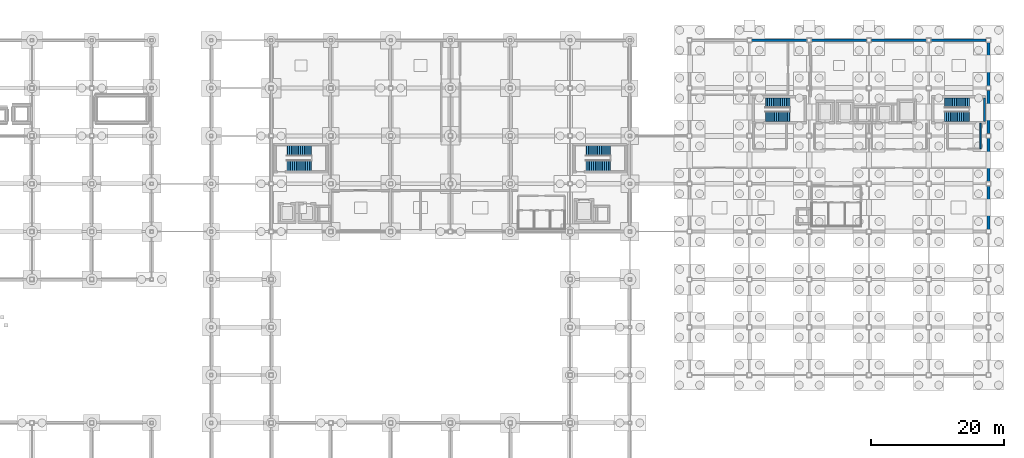
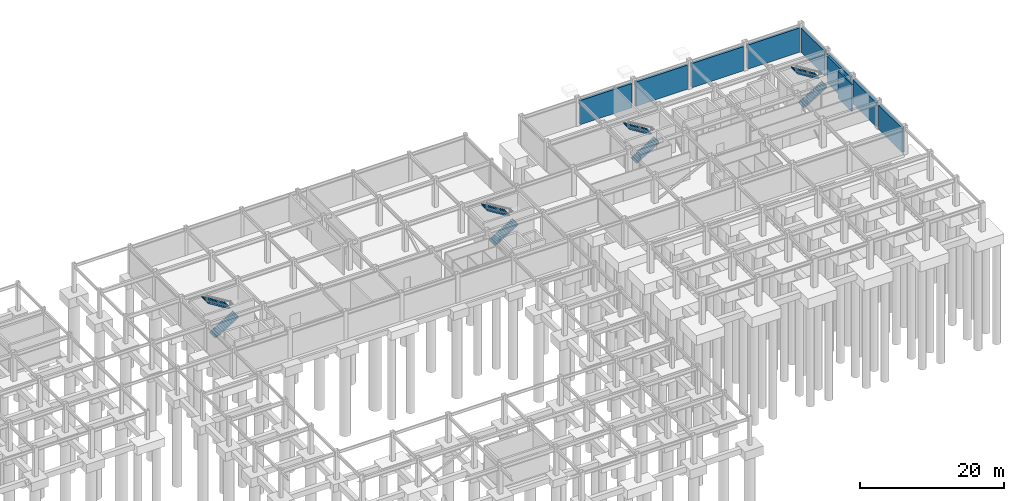
# One storey, part 25 of 28: 10 walls, 8 stair flights, 4 elements without a shape of their own.
"""IFC4 building model written with IfcOpenShell, lengths in metres."""

from ifc_helpers import new_model, si_unit, direction, frame, frame_2d, origin, place, context, subcontext, project, spatial, polyline, rectangle, outline, extrude, material, layer, layer_set, type_object, element, aggregate, save


model = new_model("IFC4")

# Units and contexts
model_context = context("Model", 3, precision=1e-05, world=origin(), true_north=direction((0.0, 1.0)))
body_context = subcontext(model_context, "Body", "Model", "MODEL_VIEW")
ifc_project = project(units=[si_unit("LENGTHUNIT", "METRE"), si_unit("AREAUNIT", "SQUARE_METRE"), si_unit("VOLUMEUNIT", "CUBIC_METRE"), si_unit("PLANEANGLEUNIT", "RADIAN"), si_unit("MASSUNIT", "GRAM", prefix="KILO")], contexts=[model_context])

# Site, building, storey
site_placement = place(None, origin())
site = spatial("IfcSite", under=ifc_project, at=site_placement, CompositionType="ELEMENT")
building_placement = place(site_placement, origin())
building = spatial("IfcBuilding", under=site, at=building_placement, Name="Kazanami Central Library", CompositionType="ELEMENT")
storey_placement = place(building_placement, frame((0.0, 0.0, -4.89990234375)))
storey = spatial("IfcBuildingStorey", under=building, at=storey_placement, Name="B01", CompositionType="ELEMENT", Elevation=-4.89990234375)

# Walls
ifc_material_1 = material(Name="Fire-Resistant Gypsum Board GB-F", Category="gypsum")
ifc_layer_1 = layer(ifc_material_1, 0.219970703125, Name="Fire-Resistant Gypsum Board GB-F")
ifc_layer_set_1 = layer_set([ifc_layer_1], Name="Fire-Resistant Gypsum Board GB-F")
wall_type_1 = type_object("IfcWallType", Name="WAL-FW-220", PredefinedType="PARTITIONING", material=ifc_layer_set_1)
wall_1_placement = place(storey_placement, frame((160.800048828125, 77.2900390625, 0.0), z_axis=(0.0, 0.0, 1.0), x_axis=(0.0, 1.0, 0.0)))
element("IfcWall", 1, at=wall_1_placement, inside=storey, type_object=wall_type_1, Name="Interior Partition FW-220 B01 VEST-ST-02 (East)", PredefinedType="PARTITIONING", context=body_context, shape_type="SweptSolid", body=[
    extrude(rectangle(XDim=3.820068359375, YDim=0.219970703125, at=frame_2d((1.91015625, 0.0))), origin(), (0.0, 0.0, 1.0), 4.625),
])
ifc_material_2 = material(Name="Concrete Fc36 (36 MPa)", Category="concrete")
ifc_layer_2 = layer(ifc_material_2, 0.39990234375, Name="Concrete Fc36 (36 MPa)")
ifc_layer_set_2 = layer_set([ifc_layer_2], Name="Concrete Fc36 (36 MPa)")
wall_type_2 = type_object("IfcWallType", Name="WAL-RW-400", PredefinedType="SOLIDWALL", material=ifc_layer_set_2)
for number, where, z_axis, x_axis, name in (
    (2, (134.64990234375, 93.60009765625, 0.0), (0.0, 0.0, 1.0), (-1.0, 0.0, 0.0), "Basement Retaining Wall RW-400 N-O-15"),
    (3, (143.64990234375, 93.60009765625, 0.0), (0.0, 0.0, 1.0), (-1.0, 0.0, 0.0), "Basement Retaining Wall RW-400 N-O-16"),
    (4, (152.64990234375, 93.60009765625, 0.0), (0.0, 0.0, 1.0), (-1.0, 0.0, 0.0), "Basement Retaining Wall RW-400 N-O-17"),
    (5, (161.64990234375, 93.60009765625, 0.0), (0.0, 0.0, 1.0), (-1.0, 0.0, 0.0), "Basement Retaining Wall RW-400 N-O-18"),
):
    element("IfcWall", number, at=place(storey_placement, frame(where, z_axis=z_axis, x_axis=x_axis)), inside=storey, type_object=wall_type_2, Name=name, PredefinedType="SOLIDWALL", context=body_context, shape_type="SweptSolid", body=[
        extrude(rectangle(XDim=8.2998046875, YDim=0.39990234375, at=frame_2d((4.14990234375, 0.0))), origin(), (0.0, 0.0, 1.0), 4.125),
    ])
for number, where, z_axis, x_axis, name in (
    (6, (162.0, 71.64990234375, 0.0), (0.0, 0.0, 1.0), (0.0, -1.0, 0.0), "Basement Retaining Wall RW-400 E-19-10"),
    (7, (162.0, 78.85009765625, 0.0), (0.0, 0.0, 1.0), (0.0, -1.0, 0.0), "Basement Retaining Wall RW-400 E-19-11"),
    (8, (162.0, 86.050048828125, 0.0), (0.0, 0.0, 1.0), (0.0, -1.0, 0.0), "Basement Retaining Wall RW-400 E-19-12"),
    (9, (162.0, 93.25, 0.0), (0.0, 0.0, 1.0), (0.0, -1.0, 0.0), "Basement Retaining Wall RW-400 E-19-13"),
):
    element("IfcWall", number, at=place(storey_placement, frame(where, z_axis=z_axis, x_axis=x_axis)), inside=storey, type_object=wall_type_2, Name=name, PredefinedType="SOLIDWALL", context=body_context, shape_type="SweptSolid", body=[
        extrude(rectangle(XDim=6.5, YDim=0.39990234375, at=frame_2d((3.25, 0.0))), origin(), (0.0, 0.0, 1.0), 4.125),
    ])
ifc_layer_3 = layer(ifc_material_2, 0.35009765625, Name="Concrete Fc36 (36 MPa)")
ifc_layer_set_3 = layer_set([ifc_layer_3], Name="Concrete Fc36 (36 MPa)")
wall_type_3 = type_object("IfcWallType", Name="WAL-SW-350", PredefinedType="SHEAR", material=ifc_layer_set_3)
wall_2_placement = place(storey_placement, frame((161.39990234375, 81.375, 0.0), z_axis=(0.0, 0.0, 1.0), x_axis=(0.0, 1.0, 0.0)))
element("IfcWall", 10, at=wall_2_placement, inside=storey, type_object=wall_type_3, Name="Stair Core Wall ST-02 East B01", PredefinedType="SHEAR", context=body_context, shape_type="SweptSolid", body=[
    extrude(rectangle(XDim=3.550048828125, YDim=0.35009765625, at=frame_2d((1.77490234375, 0.0))), origin(), (0.0, 0.0, 1.0), 4.625),
])

# Stair, stair flights
stair_type_1 = type_object("IfcStairType", Name="STR-P49", PredefinedType="HALF_TURN_STAIR", material=ifc_material_2)
stair_1_placement = place(storey_placement, origin())
stair_1 = element("IfcStair", 11, at=stair_1_placement, inside=storey, type_object=stair_type_1, Name="Enclosed Escape Stair ST-03 (B01)", PredefinedType="HALF_TURN_STAIR")
stair_flight_type_1 = type_object("IfcStairFlightType", Name="FLT-STR-P49", PredefinedType="STRAIGHT", material=ifc_material_2)
stair_flight_1_placement = place(storey_placement, frame((56.39404296875, 74.75, 0.0), z_axis=(0.0, 0.0, 1.0), x_axis=(1.0, 0.0, 0.0)))
stair_flight_1 = element("IfcStairFlight", 12, at=stair_flight_1_placement, type_object=stair_flight_type_1, Name="ST-03 flight 1", NumberOfRisers=14, NumberOfTreads=13, PredefinedType="STRAIGHT", RiserHeight=0.175, TreadLength=0.28, context=body_context, shape_type="SweptSolid", body=[
    extrude(outline(polyline([(0.0, 0.0), (0.0, 0.175048828125), (0.280029296875, 0.175048828125), (0.280029296875, 0.35009765625), (0.56005859375, 0.35009765625), (0.56005859375, 0.52490234375), (0.840087890625, 0.52490234375), (0.840087890625, 0.699951171875), (1.1201171875, 0.699951171875), (1.1201171875, 0.875), (1.39990234375, 0.875), (1.39990234375, 1.050048828125), (1.679931640625, 1.050048828125), (1.679931640625, 1.22509765625), (1.9599609375, 1.22509765625), (1.9599609375, 1.39990234375), (2.239990234375, 1.39990234375), (2.239990234375, 1.574951171875), (2.52001953125, 1.574951171875), (2.52001953125, 1.75), (2.800048828125, 1.75), (2.800048828125, 1.925048828125), (3.080078125, 1.925048828125), (3.080078125, 2.10009765625), (3.360107421875, 2.10009765625), (3.360107421875, 2.27490234375), (3.639892578125, 2.27490234375), (3.639892578125, 2.449951171875), (3.719970703125, 2.449951171875), (3.719970703125, 2.27001953125), (3.639892578125, 2.062744140625), (0.339599609375, 0.0), (0.0, 0.0)])), frame((0.0, 0.800048828125, 0.0), z_axis=(0.0, -1.0, 0.0), x_axis=(1.0, 0.0, 0.0)), (0.0, 0.0, 1.0), 1.60009765625),
])
stair_flight_2_placement = place(storey_placement, frame((60.114013671875, 76.949951171875, 2.449951171875), z_axis=(0.0, 0.0, 1.0), x_axis=(-1.0, 0.0, 0.0)))
stair_flight_2 = element("IfcStairFlight", 13, at=stair_flight_2_placement, type_object=stair_flight_type_1, Name="ST-03 flight 2", NumberOfRisers=14, NumberOfTreads=13, PredefinedType="STRAIGHT", RiserHeight=0.175, TreadLength=0.28, context=body_context, shape_type="SweptSolid", body=[
    extrude(outline(polyline([(0.0, 0.0), (0.0, 0.175048828125), (0.280029296875, 0.175048828125), (0.280029296875, 0.35009765625), (0.56005859375, 0.35009765625), (0.56005859375, 0.52490234375), (0.840087890625, 0.52490234375), (0.840087890625, 0.699951171875), (1.1201171875, 0.699951171875), (1.1201171875, 0.875), (1.39990234375, 0.875), (1.39990234375, 1.050048828125), (1.679931640625, 1.050048828125), (1.679931640625, 1.22509765625), (1.9599609375, 1.22509765625), (1.9599609375, 1.39990234375), (2.239990234375, 1.39990234375), (2.239990234375, 1.574951171875), (2.52001953125, 1.574951171875), (2.52001953125, 1.75), (2.800048828125, 1.75), (2.800048828125, 1.925048828125), (3.080078125, 1.925048828125), (3.080078125, 2.10009765625), (3.360107421875, 2.10009765625), (3.360107421875, 2.27490234375), (3.639892578125, 2.27490234375), (3.639892578125, 2.449951171875), (3.719970703125, 2.449951171875), (3.719970703125, 2.27001953125), (3.639892578125, 2.062744140625), (0.339599609375, 0.0), (0.0, 0.0)])), frame((0.0, 0.800048828125, 0.0), z_axis=(0.0, -1.0, 0.0), x_axis=(1.0, 0.0, 0.0)), (0.0, 0.0, 1.0), 1.60009765625),
])
aggregate(stair_1, [stair_flight_1, stair_flight_2])

stair_2_placement = place(storey_placement, origin())
stair_2 = element("IfcStair", 14, at=stair_2_placement, inside=storey, type_object=stair_type_1, Name="Enclosed Escape Stair ST-04 (B01)", PredefinedType="HALF_TURN_STAIR")
stair_flight_3_placement = place(storey_placement, frame((101.39404296875, 74.75, 0.0), z_axis=(0.0, 0.0, 1.0), x_axis=(1.0, 0.0, 0.0)))
stair_flight_3 = element("IfcStairFlight", 15, at=stair_flight_3_placement, type_object=stair_flight_type_1, Name="ST-04 flight 1", NumberOfRisers=14, NumberOfTreads=13, PredefinedType="STRAIGHT", RiserHeight=0.175, TreadLength=0.28, context=body_context, shape_type="SweptSolid", body=[
    extrude(outline(polyline([(0.0, 0.0), (0.0, 0.175048828125), (0.280029296875, 0.175048828125), (0.280029296875, 0.35009765625), (0.56005859375, 0.35009765625), (0.56005859375, 0.52490234375), (0.840087890625, 0.52490234375), (0.840087890625, 0.699951171875), (1.1201171875, 0.699951171875), (1.1201171875, 0.875), (1.39990234375, 0.875), (1.39990234375, 1.050048828125), (1.679931640625, 1.050048828125), (1.679931640625, 1.22509765625), (1.9599609375, 1.22509765625), (1.9599609375, 1.39990234375), (2.239990234375, 1.39990234375), (2.239990234375, 1.574951171875), (2.52001953125, 1.574951171875), (2.52001953125, 1.75), (2.800048828125, 1.75), (2.800048828125, 1.925048828125), (3.080078125, 1.925048828125), (3.080078125, 2.10009765625), (3.360107421875, 2.10009765625), (3.360107421875, 2.27490234375), (3.639892578125, 2.27490234375), (3.639892578125, 2.449951171875), (3.719970703125, 2.449951171875), (3.719970703125, 2.27001953125), (3.639892578125, 2.062744140625), (0.339599609375, 0.0), (0.0, 0.0)])), frame((0.0, 0.800048828125, 0.0), z_axis=(0.0, -1.0, 0.0), x_axis=(1.0, 0.0, 0.0)), (0.0, 0.0, 1.0), 1.60009765625),
])
stair_flight_4_placement = place(storey_placement, frame((105.114013671875, 76.949951171875, 2.449951171875), z_axis=(0.0, 0.0, 1.0), x_axis=(-1.0, 0.0, 0.0)))
stair_flight_4 = element("IfcStairFlight", 16, at=stair_flight_4_placement, type_object=stair_flight_type_1, Name="ST-04 flight 2", NumberOfRisers=14, NumberOfTreads=13, PredefinedType="STRAIGHT", RiserHeight=0.175, TreadLength=0.28, context=body_context, shape_type="SweptSolid", body=[
    extrude(outline(polyline([(0.0, 0.0), (0.0, 0.175048828125), (0.280029296875, 0.175048828125), (0.280029296875, 0.35009765625), (0.56005859375, 0.35009765625), (0.56005859375, 0.52490234375), (0.840087890625, 0.52490234375), (0.840087890625, 0.699951171875), (1.1201171875, 0.699951171875), (1.1201171875, 0.875), (1.39990234375, 0.875), (1.39990234375, 1.050048828125), (1.679931640625, 1.050048828125), (1.679931640625, 1.22509765625), (1.9599609375, 1.22509765625), (1.9599609375, 1.39990234375), (2.239990234375, 1.39990234375), (2.239990234375, 1.574951171875), (2.52001953125, 1.574951171875), (2.52001953125, 1.75), (2.800048828125, 1.75), (2.800048828125, 1.925048828125), (3.080078125, 1.925048828125), (3.080078125, 2.10009765625), (3.360107421875, 2.10009765625), (3.360107421875, 2.27490234375), (3.639892578125, 2.27490234375), (3.639892578125, 2.449951171875), (3.719970703125, 2.449951171875), (3.719970703125, 2.27001953125), (3.639892578125, 2.062744140625), (0.339599609375, 0.0), (0.0, 0.0)])), frame((0.0, 0.800048828125, 0.0), z_axis=(0.0, -1.0, 0.0), x_axis=(1.0, 0.0, 0.0)), (0.0, 0.0, 1.0), 1.60009765625),
])
aggregate(stair_2, [stair_flight_3, stair_flight_4])

stair_type_2 = type_object("IfcStairType", Name="STR-T49", PredefinedType="HALF_TURN_STAIR", material=ifc_material_2)
stair_3_placement = place(storey_placement, origin())
stair_3 = element("IfcStair", 17, at=stair_3_placement, inside=storey, type_object=stair_type_2, Name="Enclosed Escape Stair ST-01 (B01)", PredefinedType="HALF_TURN_STAIR")
stair_flight_type_2 = type_object("IfcStairFlightType", Name="FLT-STR-T49", PredefinedType="STRAIGHT", material=ifc_material_2)
stair_flight_5_placement = place(storey_placement, frame((128.39404296875, 82.125, 0.0), z_axis=(0.0, 0.0, 1.0), x_axis=(1.0, 0.0, 0.0)))
stair_flight_5 = element("IfcStairFlight", 18, at=stair_flight_5_placement, type_object=stair_flight_type_2, Name="ST-01 flight 1", NumberOfRisers=14, NumberOfTreads=13, PredefinedType="STRAIGHT", RiserHeight=0.175, TreadLength=0.28, context=body_context, shape_type="SweptSolid", body=[
    extrude(outline(polyline([(0.0, 0.0), (0.0, 0.175048828125), (0.280029296875, 0.175048828125), (0.280029296875, 0.35009765625), (0.56005859375, 0.35009765625), (0.56005859375, 0.52490234375), (0.840087890625, 0.52490234375), (0.840087890625, 0.699951171875), (1.1201171875, 0.699951171875), (1.1201171875, 0.875), (1.39990234375, 0.875), (1.39990234375, 1.050048828125), (1.679931640625, 1.050048828125), (1.679931640625, 1.22509765625), (1.9599609375, 1.22509765625), (1.9599609375, 1.39990234375), (2.239990234375, 1.39990234375), (2.239990234375, 1.574951171875), (2.52001953125, 1.574951171875), (2.52001953125, 1.75), (2.800048828125, 1.75), (2.800048828125, 1.925048828125), (3.080078125, 1.925048828125), (3.080078125, 2.10009765625), (3.360107421875, 2.10009765625), (3.360107421875, 2.27490234375), (3.639892578125, 2.27490234375), (3.639892578125, 2.449951171875), (3.719970703125, 2.449951171875), (3.719970703125, 2.27001953125), (3.639892578125, 2.062744140625), (0.339599609375, 0.0), (0.0, 0.0)])), frame((0.0, 0.75, 0.0), z_axis=(0.0, -1.0, 0.0), x_axis=(1.0, 0.0, 0.0)), (0.0, 0.0, 1.0), 1.5),
])
stair_flight_6_placement = place(storey_placement, frame((132.114013671875, 84.175048828125, 2.449951171875), z_axis=(0.0, 0.0, 1.0), x_axis=(-1.0, 0.0, 0.0)))
stair_flight_6 = element("IfcStairFlight", 19, at=stair_flight_6_placement, type_object=stair_flight_type_2, Name="ST-01 flight 2", NumberOfRisers=14, NumberOfTreads=13, PredefinedType="STRAIGHT", RiserHeight=0.175, TreadLength=0.28, context=body_context, shape_type="SweptSolid", body=[
    extrude(outline(polyline([(0.0, 0.0), (0.0, 0.175048828125), (0.280029296875, 0.175048828125), (0.280029296875, 0.35009765625), (0.56005859375, 0.35009765625), (0.56005859375, 0.52490234375), (0.840087890625, 0.52490234375), (0.840087890625, 0.699951171875), (1.1201171875, 0.699951171875), (1.1201171875, 0.875), (1.39990234375, 0.875), (1.39990234375, 1.050048828125), (1.679931640625, 1.050048828125), (1.679931640625, 1.22509765625), (1.9599609375, 1.22509765625), (1.9599609375, 1.39990234375), (2.239990234375, 1.39990234375), (2.239990234375, 1.574951171875), (2.52001953125, 1.574951171875), (2.52001953125, 1.75), (2.800048828125, 1.75), (2.800048828125, 1.925048828125), (3.080078125, 1.925048828125), (3.080078125, 2.10009765625), (3.360107421875, 2.10009765625), (3.360107421875, 2.27490234375), (3.639892578125, 2.27490234375), (3.639892578125, 2.449951171875), (3.719970703125, 2.449951171875), (3.719970703125, 2.27001953125), (3.639892578125, 2.062744140625), (0.339599609375, 0.0), (0.0, 0.0)])), frame((0.0, 0.75, 0.0), z_axis=(0.0, -1.0, 0.0), x_axis=(1.0, 0.0, 0.0)), (0.0, 0.0, 1.0), 1.5),
])
aggregate(stair_3, [stair_flight_5, stair_flight_6])

stair_4_placement = place(storey_placement, origin())
stair_4 = element("IfcStair", 20, at=stair_4_placement, inside=storey, type_object=stair_type_2, Name="Enclosed Escape Stair ST-02 (B01)", PredefinedType="HALF_TURN_STAIR")
stair_flight_7_placement = place(storey_placement, frame((155.39404296875, 82.125, 0.0), z_axis=(0.0, 0.0, 1.0), x_axis=(1.0, 0.0, 0.0)))
stair_flight_7 = element("IfcStairFlight", 21, at=stair_flight_7_placement, type_object=stair_flight_type_2, Name="ST-02 flight 1", NumberOfRisers=14, NumberOfTreads=13, PredefinedType="STRAIGHT", RiserHeight=0.175, TreadLength=0.28, context=body_context, shape_type="SweptSolid", body=[
    extrude(outline(polyline([(0.0, 0.0), (0.0, 0.175048828125), (0.280029296875, 0.175048828125), (0.280029296875, 0.35009765625), (0.56005859375, 0.35009765625), (0.56005859375, 0.52490234375), (0.840087890625, 0.52490234375), (0.840087890625, 0.699951171875), (1.1201171875, 0.699951171875), (1.1201171875, 0.875), (1.39990234375, 0.875), (1.39990234375, 1.050048828125), (1.679931640625, 1.050048828125), (1.679931640625, 1.22509765625), (1.9599609375, 1.22509765625), (1.9599609375, 1.39990234375), (2.239990234375, 1.39990234375), (2.239990234375, 1.574951171875), (2.52001953125, 1.574951171875), (2.52001953125, 1.75), (2.800048828125, 1.75), (2.800048828125, 1.925048828125), (3.080078125, 1.925048828125), (3.080078125, 2.10009765625), (3.360107421875, 2.10009765625), (3.360107421875, 2.27490234375), (3.639892578125, 2.27490234375), (3.639892578125, 2.449951171875), (3.719970703125, 2.449951171875), (3.719970703125, 2.27001953125), (3.639892578125, 2.062744140625), (0.339599609375, 0.0), (0.0, 0.0)])), frame((0.0, 0.75, 0.0), z_axis=(0.0, -1.0, 0.0), x_axis=(1.0, 0.0, 0.0)), (0.0, 0.0, 1.0), 1.5),
])
stair_flight_8_placement = place(storey_placement, frame((159.114013671875, 84.175048828125, 2.449951171875), z_axis=(0.0, 0.0, 1.0), x_axis=(-1.0, 0.0, 0.0)))
stair_flight_8 = element("IfcStairFlight", 22, at=stair_flight_8_placement, type_object=stair_flight_type_2, Name="ST-02 flight 2", NumberOfRisers=14, NumberOfTreads=13, PredefinedType="STRAIGHT", RiserHeight=0.175, TreadLength=0.28, context=body_context, shape_type="SweptSolid", body=[
    extrude(outline(polyline([(0.0, 0.0), (0.0, 0.175048828125), (0.280029296875, 0.175048828125), (0.280029296875, 0.35009765625), (0.56005859375, 0.35009765625), (0.56005859375, 0.52490234375), (0.840087890625, 0.52490234375), (0.840087890625, 0.699951171875), (1.1201171875, 0.699951171875), (1.1201171875, 0.875), (1.39990234375, 0.875), (1.39990234375, 1.050048828125), (1.679931640625, 1.050048828125), (1.679931640625, 1.22509765625), (1.9599609375, 1.22509765625), (1.9599609375, 1.39990234375), (2.239990234375, 1.39990234375), (2.239990234375, 1.574951171875), (2.52001953125, 1.574951171875), (2.52001953125, 1.75), (2.800048828125, 1.75), (2.800048828125, 1.925048828125), (3.080078125, 1.925048828125), (3.080078125, 2.10009765625), (3.360107421875, 2.10009765625), (3.360107421875, 2.27490234375), (3.639892578125, 2.27490234375), (3.639892578125, 2.449951171875), (3.719970703125, 2.449951171875), (3.719970703125, 2.27001953125), (3.639892578125, 2.062744140625), (0.339599609375, 0.0), (0.0, 0.0)])), frame((0.0, 0.75, 0.0), z_axis=(0.0, -1.0, 0.0), x_axis=(1.0, 0.0, 0.0)), (0.0, 0.0, 1.0), 1.5),
])
aggregate(stair_4, [stair_flight_7, stair_flight_8])

save(model, "model.ifc")
